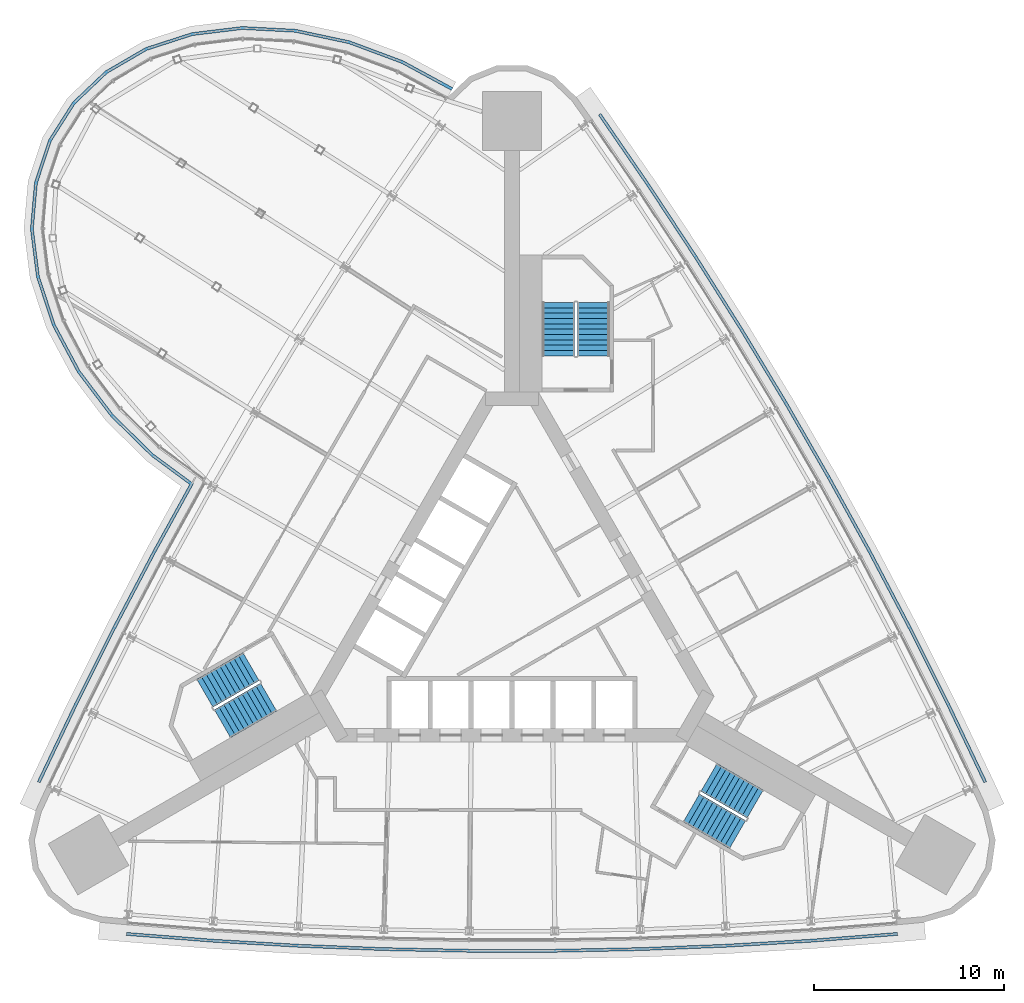
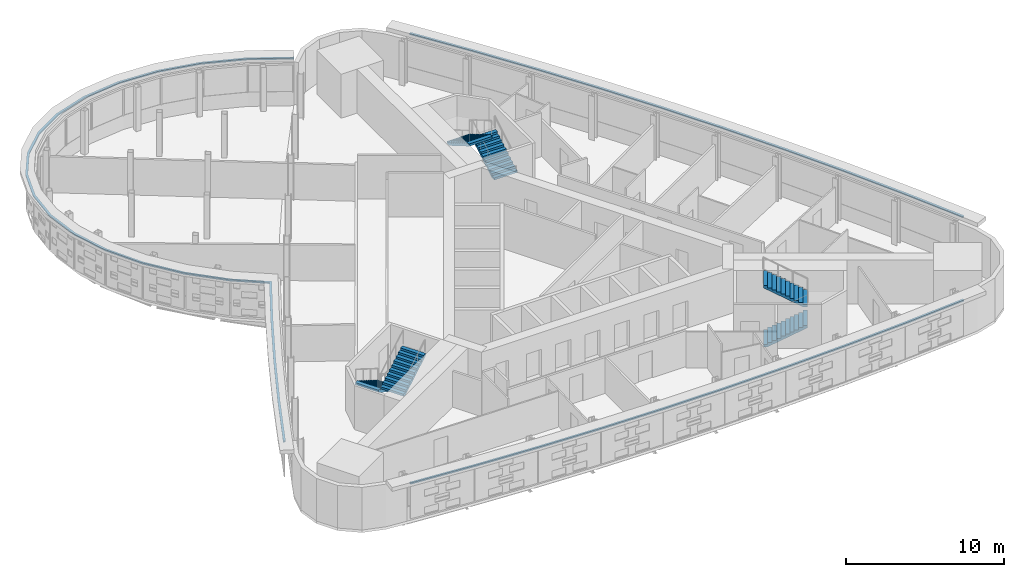
# One storey, part 14 of 17: 6 stair flights, 3 discrete accessories, 3 elements without a shape of their own.
"""IFC4 building model written with IfcOpenShell, lengths in metres."""

from ifc_helpers import new_model, si_unit, direction, frame, origin, place, context, subcontext, project, spatial, polyline, outline, extrude, material, type_object, element, aggregate, save


model = new_model("IFC4")

# Units and contexts
model_context = context("Model", 3, precision=1e-05, world=origin(), true_north=direction((0.0, 1.0)))
body_context = subcontext(model_context, "Body", "Model", "MODEL_VIEW")
ifc_project = project(units=[si_unit("LENGTHUNIT", "METRE"), si_unit("AREAUNIT", "SQUARE_METRE"), si_unit("VOLUMEUNIT", "CUBIC_METRE"), si_unit("PLANEANGLEUNIT", "RADIAN"), si_unit("MASSUNIT", "GRAM", prefix="KILO")], contexts=[model_context])

# Site, building, storey
site_placement = place(None, origin())
site = spatial("IfcSite", under=ifc_project, at=site_placement, CompositionType="ELEMENT")
building_placement = place(site_placement, origin())
building = spatial("IfcBuilding", under=site, at=building_placement, Name="Noor Cloister Tower", CompositionType="ELEMENT")
storey_placement = place(building_placement, frame((0.0, 0.0, 98.699951171875)))
storey = spatial("IfcBuildingStorey", under=building, at=storey_placement, Name="L25", CompositionType="ELEMENT", Elevation=98.699951171875)

# Stair, stair flights
ifc_material_1 = material(Name="Concrete C40/50", Category="concrete")
stair_type = type_object("IfcStairType", Name="Exit stair 22 risers", PredefinedType="HALF_TURN_STAIR", material=ifc_material_1)
stair_1_placement = place(storey_placement, origin())
stair_1 = element("IfcStair", 1, at=stair_1_placement, inside=storey, type_object=stair_type, Name="Exit stair ST1 L25", PredefinedType="HALF_TURN_STAIR")
ifc_material_2 = material(Name="Concrete C40/50", Category="concrete")
stair_flight_type = type_object("IfcStairFlightType", Name="Exit stair flight", PredefinedType="STRAIGHT", material=ifc_material_2)
stair_flight_1_placement = place(storey_placement, frame((4.28564453125, 13.3564453125, 0.0), z_axis=(0.0, 0.0, 1.0), x_axis=(0.0, 1.0, 0.0)))
stair_flight_1 = element("IfcStairFlight", 2, at=stair_flight_1_placement, type_object=stair_flight_type, Name="ST1 flight 1", NumberOfRisers=11, NumberOfTreads=10, PredefinedType="STRAIGHT", RiserHeight=0.163636364, TreadLength=0.28, context=body_context, shape_type="SweptSolid", body=[
    extrude(outline(polyline([(0.0, 0.0), (0.0, 0.16357421875), (0.280029296875, 0.16357421875), (0.280029296875, 0.327392578125), (0.56005859375, 0.327392578125), (0.56005859375, 0.490966796875), (0.840087890625, 0.490966796875), (0.840087890625, 0.654541015625), (1.1201171875, 0.654541015625), (1.1201171875, 0.818115234375), (1.39990234375, 0.818115234375), (1.39990234375, 0.98193359375), (1.679931640625, 0.98193359375), (1.679931640625, 1.1455078125), (1.9599609375, 1.1455078125), (1.9599609375, 1.30908203125), (2.239990234375, 1.30908203125), (2.239990234375, 1.47265625), (2.52001953125, 1.47265625), (2.52001953125, 1.636474609375), (2.800048828125, 1.636474609375), (2.800048828125, 1.800048828125), (2.800048828125, 1.462646484375), (0.297119140625, 0.0), (0.0, 0.0)])), frame((0.0, 0.85009765625, 0.0), z_axis=(0.0, -1.0, 0.0), x_axis=(1.0, 0.0, 0.0)), (0.0, 0.0, 1.0), 1.699951171875),
])
stair_flight_2_placement = place(storey_placement, frame((2.435546875, 16.156494140625, 1.800048828125), z_axis=(0.0, 0.0, 1.0), x_axis=(0.0, -1.0, 0.0)))
stair_flight_2 = element("IfcStairFlight", 3, at=stair_flight_2_placement, type_object=stair_flight_type, Name="ST1 flight 2", NumberOfRisers=11, NumberOfTreads=10, PredefinedType="STRAIGHT", RiserHeight=0.163636364, TreadLength=0.28, context=body_context, shape_type="SweptSolid", body=[
    extrude(outline(polyline([(0.0, 0.0), (0.0, 0.16357421875), (0.280029296875, 0.16357421875), (0.280029296875, 0.327392578125), (0.56005859375, 0.327392578125), (0.56005859375, 0.490966796875), (0.840087890625, 0.490966796875), (0.840087890625, 0.654541015625), (1.1201171875, 0.654541015625), (1.1201171875, 0.818115234375), (1.39990234375, 0.818115234375), (1.39990234375, 0.98193359375), (1.679931640625, 0.98193359375), (1.679931640625, 1.1455078125), (1.9599609375, 1.1455078125), (1.9599609375, 1.30908203125), (2.239990234375, 1.30908203125), (2.239990234375, 1.47265625), (2.52001953125, 1.47265625), (2.52001953125, 1.636474609375), (2.800048828125, 1.636474609375), (2.800048828125, 1.800048828125), (2.800048828125, 1.462646484375), (0.297119140625, 0.0), (0.0, 0.0)])), frame((0.0, 0.85009765625, 0.0), z_axis=(0.0, -1.0, 0.0), x_axis=(1.0, 0.0, 0.0)), (0.0, 0.0, 1.0), 1.699951171875),
])
aggregate(stair_1, [stair_flight_1, stair_flight_2])

stair_2_placement = place(storey_placement, origin())
stair_2 = element("IfcStair", 4, at=stair_2_placement, inside=storey, type_object=stair_type, Name="Exit stair ST2 L25", PredefinedType="HALF_TURN_STAIR")
stair_flight_3_placement = place(storey_placement, frame((-13.709716796875, -2.966796875, 0.0), z_axis=(0.0, 0.0, 1.0), x_axis=(-0.866025403784, -0.5, 0.0)))
stair_flight_3 = element("IfcStairFlight", 5, at=stair_flight_3_placement, type_object=stair_flight_type, Name="ST2 flight 1", NumberOfRisers=11, NumberOfTreads=10, PredefinedType="STRAIGHT", RiserHeight=0.163636364, TreadLength=0.28, context=body_context, shape_type="SweptSolid", body=[
    extrude(outline(polyline([(0.0, 0.0), (0.0, 0.16357421875), (0.280029296875, 0.16357421875), (0.280029296875, 0.327392578125), (0.56005859375, 0.327392578125), (0.56005859375, 0.490966796875), (0.840087890625, 0.490966796875), (0.840087890625, 0.654541015625), (1.1201171875, 0.654541015625), (1.1201171875, 0.818115234375), (1.39990234375, 0.818115234375), (1.39990234375, 0.98193359375), (1.679931640625, 0.98193359375), (1.679931640625, 1.1455078125), (1.9599609375, 1.1455078125), (1.9599609375, 1.30908203125), (2.239990234375, 1.30908203125), (2.239990234375, 1.47265625), (2.52001953125, 1.47265625), (2.52001953125, 1.636474609375), (2.800048828125, 1.636474609375), (2.800048828125, 1.800048828125), (2.800048828125, 1.462646484375), (0.297119140625, 0.0), (0.0, 0.0)])), frame((0.0, 0.85009765625, 0.0), z_axis=(0.0, -1.0, 0.0), x_axis=(1.0, 0.0, 0.0)), (0.0, 0.0, 1.0), 1.699951171875),
])
stair_flight_4_placement = place(storey_placement, frame((-15.209716796875, -5.968994140625, 1.800048828125), z_axis=(0.0, 0.0, 1.0), x_axis=(0.866025403784, 0.5, 0.0)))
stair_flight_4 = element("IfcStairFlight", 6, at=stair_flight_4_placement, type_object=stair_flight_type, Name="ST2 flight 2", NumberOfRisers=11, NumberOfTreads=10, PredefinedType="STRAIGHT", RiserHeight=0.163636364, TreadLength=0.28, context=body_context, shape_type="SweptSolid", body=[
    extrude(outline(polyline([(0.0, 0.0), (0.0, 0.16357421875), (0.280029296875, 0.16357421875), (0.280029296875, 0.327392578125), (0.56005859375, 0.327392578125), (0.56005859375, 0.490966796875), (0.840087890625, 0.490966796875), (0.840087890625, 0.654541015625), (1.1201171875, 0.654541015625), (1.1201171875, 0.818115234375), (1.39990234375, 0.818115234375), (1.39990234375, 0.98193359375), (1.679931640625, 0.98193359375), (1.679931640625, 1.1455078125), (1.9599609375, 1.1455078125), (1.9599609375, 1.30908203125), (2.239990234375, 1.30908203125), (2.239990234375, 1.47265625), (2.52001953125, 1.47265625), (2.52001953125, 1.636474609375), (2.800048828125, 1.636474609375), (2.800048828125, 1.800048828125), (2.800048828125, 1.462646484375), (0.297119140625, 0.0), (0.0, 0.0)])), frame((0.0, 0.85009765625, 0.0), z_axis=(0.0, -1.0, 0.0), x_axis=(1.0, 0.0, 0.0)), (0.0, 0.0, 1.0), 1.699951171875),
])
aggregate(stair_2, [stair_flight_3, stair_flight_4])

stair_3_placement = place(storey_placement, origin())
stair_3 = element("IfcStair", 7, at=stair_3_placement, inside=storey, type_object=stair_type, Name="Exit stair ST3 L25", PredefinedType="HALF_TURN_STAIR")
stair_flight_5_placement = place(storey_placement, frame((9.424072265625, -10.3896484375, 0.0), z_axis=(0.0, 0.0, 1.0), x_axis=(0.866025403784, -0.5, 0.0)))
stair_flight_5 = element("IfcStairFlight", 8, at=stair_flight_5_placement, type_object=stair_flight_type, Name="ST3 flight 1", NumberOfRisers=11, NumberOfTreads=10, PredefinedType="STRAIGHT", RiserHeight=0.163636364, TreadLength=0.28, context=body_context, shape_type="SweptSolid", body=[
    extrude(outline(polyline([(0.0, 0.0), (0.0, 0.16357421875), (0.280029296875, 0.16357421875), (0.280029296875, 0.327392578125), (0.56005859375, 0.327392578125), (0.56005859375, 0.490966796875), (0.840087890625, 0.490966796875), (0.840087890625, 0.654541015625), (1.1201171875, 0.654541015625), (1.1201171875, 0.818115234375), (1.39990234375, 0.818115234375), (1.39990234375, 0.98193359375), (1.679931640625, 0.98193359375), (1.679931640625, 1.1455078125), (1.9599609375, 1.1455078125), (1.9599609375, 1.30908203125), (2.239990234375, 1.30908203125), (2.239990234375, 1.47265625), (2.52001953125, 1.47265625), (2.52001953125, 1.636474609375), (2.800048828125, 1.636474609375), (2.800048828125, 1.800048828125), (2.800048828125, 1.462646484375), (0.297119140625, 0.0), (0.0, 0.0)])), frame((0.0, 0.85009765625, 0.0), z_axis=(0.0, -1.0, 0.0), x_axis=(1.0, 0.0, 0.0)), (0.0, 0.0, 1.0), 1.699951171875),
])
stair_flight_6_placement = place(storey_placement, frame((12.77392578125, -10.1875, 1.800048828125), z_axis=(0.0, 0.0, 1.0), x_axis=(-0.866025403784, 0.5, 0.0)))
stair_flight_6 = element("IfcStairFlight", 9, at=stair_flight_6_placement, type_object=stair_flight_type, Name="ST3 flight 2", NumberOfRisers=11, NumberOfTreads=10, PredefinedType="STRAIGHT", RiserHeight=0.163636364, TreadLength=0.28, context=body_context, shape_type="SweptSolid", body=[
    extrude(outline(polyline([(0.0, 0.0), (0.0, 0.16357421875), (0.280029296875, 0.16357421875), (0.280029296875, 0.327392578125), (0.56005859375, 0.327392578125), (0.56005859375, 0.490966796875), (0.840087890625, 0.490966796875), (0.840087890625, 0.654541015625), (1.1201171875, 0.654541015625), (1.1201171875, 0.818115234375), (1.39990234375, 0.818115234375), (1.39990234375, 0.98193359375), (1.679931640625, 0.98193359375), (1.679931640625, 1.1455078125), (1.9599609375, 1.1455078125), (1.9599609375, 1.30908203125), (2.239990234375, 1.30908203125), (2.239990234375, 1.47265625), (2.52001953125, 1.47265625), (2.52001953125, 1.636474609375), (2.800048828125, 1.636474609375), (2.800048828125, 1.800048828125), (2.800048828125, 1.462646484375), (0.297119140625, 0.0), (0.0, 0.0)])), frame((0.0, 0.85009765625, 0.0), z_axis=(0.0, -1.0, 0.0), x_axis=(1.0, 0.0, 0.0)), (0.0, 0.0, 1.0), 1.699951171875),
])
aggregate(stair_3, [stair_flight_5, stair_flight_6])

# Discrete accessories
ifc_material_3 = material(Name="Stainless steel grade 316", Category="steel")
discrete_accessory_type = type_object("IfcDiscreteAccessoryType", Name="Stainless hanger rail", PredefinedType="BRACKET", material=ifc_material_3)
discrete_accessory_1_placement = place(storey_placement, frame((0.0, 0.0, 3.199951171875)))
element("IfcDiscreteAccessory", 10, at=discrete_accessory_1_placement, inside=storey, type_object=discrete_accessory_type, Name="Hanger rail L25", PredefinedType="BRACKET", context=body_context, shape_type="SweptSolid", body=[
    extrude(outline(polyline([(-3.108642578125, 27.44482421875), (-5.73388671875, 28.86865234375), (-8.5302734375, 29.91015625), (-11.372314453125, 30.514892578125), (-14.1669921875, 30.66064453125), (-16.82275390625, 30.33837890625), (-19.249755859375, 29.552734375), (-21.362548828125, 28.324462890625), (-23.081787109375, 26.69140625), (-24.33984375, 24.711669921875), (-25.088134765625, 22.461669921875), (-25.30322265625, 20.027099609375), (-24.983642578125, 17.496337890625), (-24.147705078125, 14.955078125), (-22.8291015625, 12.48681640625), (-21.074462890625, 10.170654296875), (-18.944091796875, 8.0810546875), (-16.935546875, 6.600341796875), (-18.8740234375, 3.084716796875), (-20.973876953125, -0.90771484375), (-22.994873046875, -4.940673828125), (-24.933837890625, -9.007568359375), (-24.789306640625, -9.076416015625), (-22.85107421875, -5.0107421875), (-20.83154296875, -0.980712890625), (-18.733154296875, 3.0087890625), (-16.7275390625, 6.645751953125), (-18.840087890625, 8.203125), (-20.9541015625, 10.276611328125), (-22.69384765625, 12.5732421875), (-24.000244140625, 15.018310546875), (-24.826904296875, 17.531494140625), (-25.142333984375, 20.0302734375), (-24.930419921875, 22.428955078125), (-24.194091796875, 24.642578125), (-22.957275390625, 26.5888671875), (-21.265869140625, 28.195556640625), (-19.18408203125, 29.40576171875), (-16.7880859375, 30.181396484375), (-14.16162109375, 30.500244140625), (-11.39306640625, 30.355712890625), (-8.574951171875, 29.756103515625), (-5.80029296875, 28.72265625), (-3.184814453125, 27.30419921875), (-3.108642578125, 27.44482421875)])), origin(), (0.0, 0.0, 1.0), 0.10009765625),
])
discrete_accessory_2_placement = place(storey_placement, frame((0.0, 0.0, 3.199951171875)))
element("IfcDiscreteAccessory", 11, at=discrete_accessory_2_placement, inside=storey, type_object=discrete_accessory_type, Name="Hanger rail L25", PredefinedType="BRACKET", context=body_context, shape_type="SweptSolid", body=[
    extrude(outline(polyline([(-20.267578125, -17.089599609375), (-15.776123046875, -17.44384765625), (-11.27294921875, -17.710205078125), (-6.765625, -17.8876953125), (-2.25537109375, -17.976318359375), (2.25537109375, -17.976318359375), (6.765625, -17.8876953125), (11.27294921875, -17.710205078125), (15.776123046875, -17.44384765625), (20.267578125, -17.089599609375), (20.2548828125, -16.929931640625), (15.76513671875, -17.2841796875), (11.26513671875, -17.55029296875), (6.7607421875, -17.727783203125), (2.25390625, -17.81640625), (-2.25390625, -17.81640625), (-6.7607421875, -17.727783203125), (-11.26513671875, -17.55029296875), (-15.76513671875, -17.2841796875), (-20.2548828125, -16.929931640625), (-20.267578125, -17.089599609375)])), origin(), (0.0, 0.0, 1.0), 0.10009765625),
])
discrete_accessory_3_placement = place(storey_placement, frame((0.0, 0.0, 3.199951171875)))
element("IfcDiscreteAccessory", 12, at=discrete_accessory_3_placement, inside=storey, type_object=discrete_accessory_type, Name="Hanger rail L25", PredefinedType="BRACKET", context=body_context, shape_type="SweptSolid", body=[
    extrude(outline(polyline([(24.933837890625, -9.007568359375), (22.994873046875, -4.940673828125), (20.973876953125, -0.90771484375), (18.8740234375, 3.084716796875), (16.69580078125, 7.034912109375), (14.440185546875, 10.94140625), (12.1083984375, 14.802978515625), (9.700927734375, 18.61767578125), (7.21875, 22.384521484375), (4.666259765625, 26.096923828125), (4.534423828125, 26.00634765625), (7.086181640625, 22.295166015625), (9.56640625, 18.531005859375), (11.97216796875, 14.718994140625), (14.302490234375, 10.860107421875), (16.556396484375, 6.956298828125), (18.733154296875, 3.0087890625), (20.83154296875, -0.980712890625), (22.85107421875, -5.0107421875), (24.789306640625, -9.076416015625), (24.933837890625, -9.007568359375)])), origin(), (0.0, 0.0, 1.0), 0.10009765625),
])

save(model, "model.ifc")
